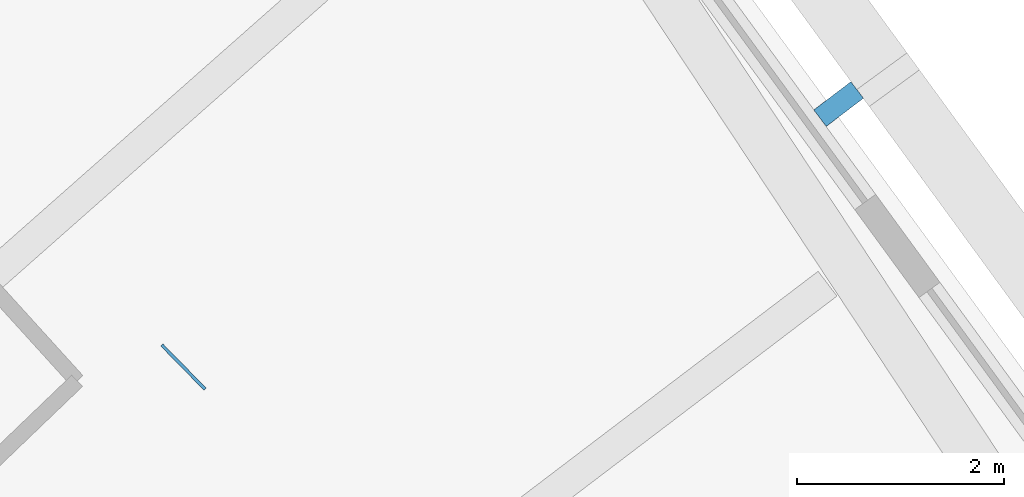
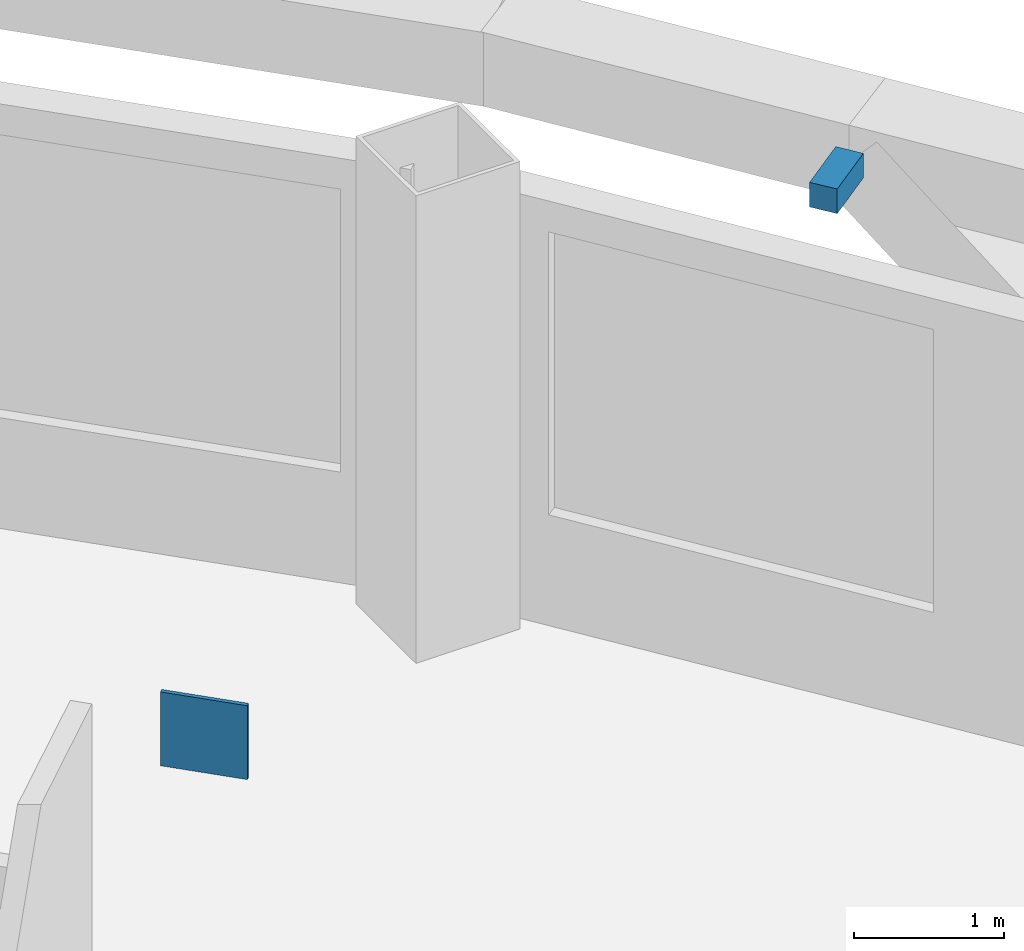
# One storey, part 16 of 21: 2 discrete accessories.
"""IFC4 building model written with IfcOpenShell, lengths in metres."""

from ifc_helpers import new_model, si_unit, direction, frame, origin, origin_2d, place, context, subcontext, project, spatial, rectangle, extrude, material, type_object, element, save


model = new_model("IFC4")

# Units and contexts
model_context = context("Model", 3, precision=1e-05, world=origin(), true_north=direction((0.0, 1.0)))
body_context = subcontext(model_context, "Body", "Model", "MODEL_VIEW")
ifc_project = project(units=[si_unit("LENGTHUNIT", "METRE"), si_unit("AREAUNIT", "SQUARE_METRE"), si_unit("VOLUMEUNIT", "CUBIC_METRE"), si_unit("PLANEANGLEUNIT", "RADIAN"), si_unit("MASSUNIT", "GRAM", prefix="KILO")], contexts=[model_context])

# Site, building, storey
site_placement = place(None, origin())
site = spatial("IfcSite", under=ifc_project, at=site_placement, CompositionType="ELEMENT")
building_placement = place(site_placement, origin())
building = spatial("IfcBuilding", under=site, at=building_placement, Name="Tuul Gate Civic Tower", CompositionType="ELEMENT")
storey_placement = place(building_placement, frame((0.0, 0.0, 273.60009765625)))
storey = spatial("IfcBuildingStorey", under=building, at=storey_placement, Name="Level 62", CompositionType="ELEMENT", Elevation=273.60009765625)

# Discrete accessories
ifc_material_1 = material(Name="Steel S355", Category="steel")
discrete_accessory_type_1 = type_object("IfcDiscreteAccessoryType", Name="Gusset plate", PredefinedType="BRACKET", material=ifc_material_1)
discrete_accessory_1_placement = place(storey_placement, frame((63.160400390625, -16.8837890625, 2.796875), z_axis=(0.0, 0.0, 1.0), x_axis=(-0.700000236809, 0.714142610735, 0.0)))
element("IfcDiscreteAccessory", 1, at=discrete_accessory_1_placement, inside=storey, type_object=discrete_accessory_type_1, Name="Gusset plate", PredefinedType="BRACKET", context=body_context, shape_type="SweptSolid", body=[
    extrude(rectangle(XDim=0.60009765625, YDim=0.030029296875, at=origin_2d()), origin(), (0.0, 0.0, 1.0), 0.60009765625),
])
ifc_material_2 = material(Name="Stainless steel", Category="steel")
discrete_accessory_type_2 = type_object("IfcDiscreteAccessoryType", Name="Screen bracket", PredefinedType="BRACKET", material=ifc_material_2)
discrete_accessory_2_placement = place(storey_placement, frame((69.4833984375, -14.345703125, 3.75), z_axis=(0.0, 0.0, 1.0), x_axis=(0.796423327972, 0.604739516372, 0.0)))
element("IfcDiscreteAccessory", 2, at=discrete_accessory_2_placement, inside=storey, type_object=discrete_accessory_type_2, Name="Screen bracket 2", PredefinedType="BRACKET", context=body_context, shape_type="SweptSolid", body=[
    extrude(rectangle(XDim=0.4501953125, YDim=0.199951171875, at=origin_2d()), origin(), (0.0, 0.0, 1.0), 0.199951171875),
])

save(model, "model.ifc")
